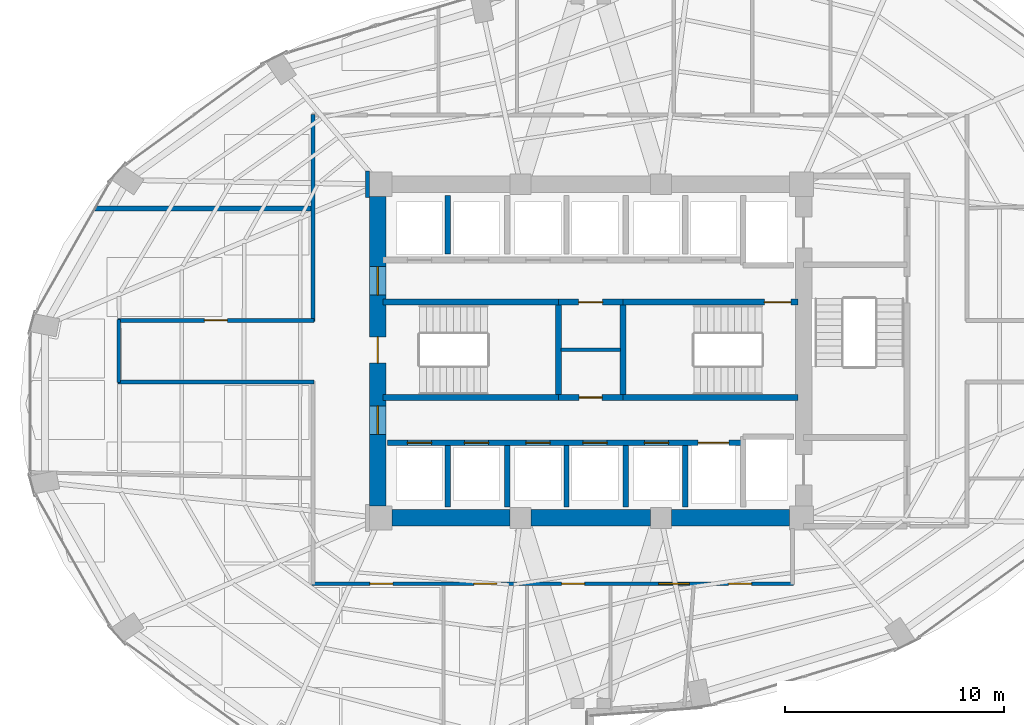
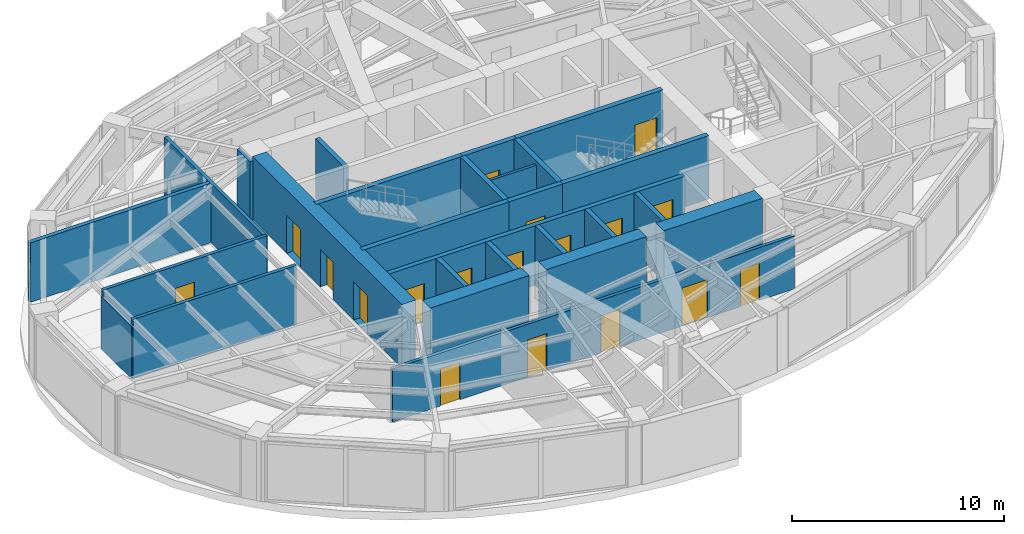
# One storey, part 19 of 23: 27 walls, 18 doors, 18 openings.
"""IFC4 building model written with IfcOpenShell, lengths in metres."""

from ifc_helpers import new_model, si_unit, direction, frame, frame_2d, origin, place, context, subcontext, project, spatial, rectangle, extrude, material, layer, layer_set, type_object, element, fill, save


model = new_model("IFC4")

# Units and contexts
model_context = context("Model", 3, precision=1e-05, world=origin(), true_north=direction((0.0, 1.0)))
body_context = subcontext(model_context, "Body", "Model", "MODEL_VIEW")
ifc_project = project(units=[si_unit("LENGTHUNIT", "METRE"), si_unit("AREAUNIT", "SQUARE_METRE"), si_unit("VOLUMEUNIT", "CUBIC_METRE"), si_unit("PLANEANGLEUNIT", "RADIAN"), si_unit("MASSUNIT", "GRAM", prefix="KILO")], contexts=[model_context])

# Site, building, storey
site_placement = place(None, origin())
site = spatial("IfcSite", under=ifc_project, at=site_placement, CompositionType="ELEMENT")
building_placement = place(site_placement, origin())
building = spatial("IfcBuilding", under=site, at=building_placement, Name="Lazwardi Medical Tower", CompositionType="ELEMENT")
storey_placement = place(building_placement, frame((0.0, 0.0, 81.743896484375)))
storey = spatial("IfcBuildingStorey", under=building, at=storey_placement, Name="L20", CompositionType="ELEMENT", Elevation=81.743896484375)

# Wall
ifc_material_1 = material(Name="Fire-rated gypsum board on steel stud", Category="steel")
ifc_layer_1 = layer(ifc_material_1, 0.179931640625)
ifc_layer_set_1 = layer_set([ifc_layer_1], Name="Fire-rated gypsum board on steel stud")
wall_type_1 = type_object("IfcWallType", Name="WL-COR-180", PredefinedType="PARTITIONING", material=ifc_layer_set_1)
wall_1_placement = place(storey_placement, frame((14.5, 26.56005859375, 0.0), z_axis=(0.0, 0.0, 1.0), x_axis=(0.0, 1.0, 0.0)))
element("IfcWall", 1, at=wall_1_placement, inside=storey, type_object=wall_type_1, Name="L20 Corridor partition 1", PredefinedType="PARTITIONING", context=body_context, shape_type="SweptSolid", body=[
    extrude(rectangle(XDim=2.8798828125, YDim=0.179931640625, at=frame_2d((1.43994140625, 0.0))), origin(), (0.0, 0.0, 1.0), 3.01318359375),
])

# Wall, opening, door
wall_2_placement = place(storey_placement, frame((14.4599609375, 29.39990234375, 0.0), z_axis=(0.0, 0.0, 1.0), x_axis=(1.0, 0.0, 0.0)))
wall_2 = element("IfcWall", 2, at=wall_2_placement, inside=storey, type_object=wall_type_1, Name="L20 Corridor partition 2", PredefinedType="PARTITIONING", context=body_context, shape_type="SweptSolid", body=[
    extrude(rectangle(XDim=8.929931640625, YDim=0.179931640625, at=frame_2d((4.46484375, 0.0))), origin(), (0.0, 0.0, 1.0), 3.42822265625),
])
opening_1_placement = place(wall_2_placement, frame((3.93994140625, 0.0, 0.0)))
opening_1 = element("IfcOpeningElement", 3, at=opening_1_placement, cuts=wall_2, Name="Opening D-L20-019", PredefinedType="OPENING", context=body_context, shape_type="SweptSolid", body=[
    extrude(rectangle(XDim=1.050048828125, YDim=2.14990234375, at=frame_2d((0.52490234375, 1.074951171875))), frame((0.0, 0.099853515625, 0.0), z_axis=(0.0, -1.0, 0.0), x_axis=(1.0, 0.0, 0.0)), (0.0, 0.0, 1.0), 0.199951171875),
])
ifc_material_2 = material(Name="Anti-microbial laminate hospital leaf")
door_type_1 = type_object("IfcDoorType", Name="DR-CLN-1050", OperationType="NOTDEFINED", PredefinedType="DOOR", material=ifc_material_2)
door_1_placement = place(opening_1_placement, origin())
door_1 = element("IfcDoor", 4, at=door_1_placement, inside=storey, type_object=door_type_1, Name="L20 Outpatient Consultation Suite Door 13", OperationType="SINGLE_SWING_LEFT", OverallHeight=2.14990234375, OverallWidth=1.050048828125, PredefinedType="DOOR", context=body_context, shape_type="SweptSolid", body=[
    extrude(rectangle(XDim=1.050048828125, YDim=2.14990234375, at=frame_2d((0.52490234375, 1.074951171875))), frame((0.0, 0.02490234375, 0.0), z_axis=(0.0, -1.0, 0.0), x_axis=(1.0, 0.0, 0.0)), (0.0, 0.0, 1.0), 0.050048828125),
])
fill(opening_1, door_1)

# Walls
wall_3_placement = place(storey_placement, frame((23.35009765625, 29.360107421875, 0.0), z_axis=(0.0, 0.0, 1.0), x_axis=(0.0, 1.0, 0.0)))
element("IfcWall", 5, at=wall_3_placement, inside=storey, type_object=wall_type_1, Name="L20 Corridor partition 3", PredefinedType="PARTITIONING", context=body_context, shape_type="SweptSolid", body=[
    extrude(rectangle(XDim=9.429931640625, YDim=0.179931640625, at=frame_2d((4.71484375, 0.0))), origin(), (0.0, 0.0, 1.0), 3.42822265625),
])
wall_4_placement = place(storey_placement, frame((25.830078125, 36.2099609375, 0.0), z_axis=(0.0, 0.0, 1.0), x_axis=(0.0, -1.0, 0.0)))
element("IfcWall", 6, at=wall_4_placement, inside=storey, type_object=wall_type_1, Name="L20 Corridor partition 11", PredefinedType="PARTITIONING", context=body_context, shape_type="SweptSolid", body=[
    extrude(rectangle(XDim=1.219970703125, YDim=0.179931640625, at=frame_2d((0.60986328125, 0.0))), origin(), (0.0, 0.0, 1.0), 3.42822265625),
])

# Wall, openings, doors
wall_5_placement = place(storey_placement, frame((45.239990234375, 17.39990234375, 0.0), z_axis=(0.0, 0.0, 1.0), x_axis=(-1.0, 0.0, 0.0)))
wall_5 = element("IfcWall", 7, at=wall_5_placement, inside=storey, type_object=wall_type_1, Name="L20 Corridor partition 14", PredefinedType="PARTITIONING", context=body_context, shape_type="SweptSolid", body=[
    extrude(rectangle(XDim=21.929931640625, YDim=0.179931640625, at=frame_2d((10.96484375, 0.0))), origin(), (0.0, 0.0, 1.0), 3.05322265625),
])
opening_2_placement = place(wall_5_placement, frame((18.2509765625, 0.0, 0.0)))
opening_2 = element("IfcOpeningElement", 8, at=opening_2_placement, cuts=wall_5, Name="Opening D-L20-007", PredefinedType="OPENING", context=body_context, shape_type="SweptSolid", body=[
    extrude(rectangle(XDim=1.050048828125, YDim=2.14990234375, at=frame_2d((0.52490234375, 1.074951171875))), frame((0.0, 0.099853515625, 0.0), z_axis=(0.0, -1.0, 0.0), x_axis=(1.0, 0.0, 0.0)), (0.0, 0.0, 1.0), 0.199951171875),
])
opening_3_placement = place(wall_5_placement, frame((13.514892578125, 0.0, 0.0)))
opening_3 = element("IfcOpeningElement", 9, at=opening_3_placement, cuts=wall_5, Name="Opening D-L20-008", PredefinedType="OPENING", context=body_context, shape_type="SweptSolid", body=[
    extrude(rectangle(XDim=1.050048828125, YDim=2.14990234375, at=frame_2d((0.52490234375, 1.074951171875))), frame((0.0, 0.099853515625, 0.0), z_axis=(0.0, -1.0, 0.0), x_axis=(1.0, 0.0, 0.0)), (0.0, 0.0, 1.0), 0.199951171875),
])
opening_4_placement = place(wall_5_placement, frame((9.514892578125, 0.0, 0.0)))
opening_4 = element("IfcOpeningElement", 10, at=opening_4_placement, cuts=wall_5, Name="Opening D-L20-009", PredefinedType="OPENING", context=body_context, shape_type="SweptSolid", body=[
    extrude(rectangle(XDim=1.050048828125, YDim=2.14990234375, at=frame_2d((0.52490234375, 1.074951171875))), frame((0.0, 0.099853515625, 0.0), z_axis=(0.0, -1.0, 0.0), x_axis=(1.0, 0.0, 0.0)), (0.0, 0.0, 1.0), 0.199951171875),
])
opening_5_placement = place(wall_5_placement, frame((4.743408203125, 0.0, 0.0)))
opening_5 = element("IfcOpeningElement", 11, at=opening_5_placement, cuts=wall_5, Name="Opening D-L20-010", PredefinedType="OPENING", context=body_context, shape_type="SweptSolid", body=[
    extrude(rectangle(XDim=1.39990234375, YDim=2.199951171875, at=frame_2d((0.699951171875, 1.10009765625))), frame((0.0, 0.099853515625, 0.0), z_axis=(0.0, -1.0, 0.0), x_axis=(1.0, 0.0, 0.0)), (0.0, 0.0, 1.0), 0.199951171875),
])
opening_6_placement = place(wall_5_placement, frame((1.906982421875, 0.0, 0.0)))
opening_6 = element("IfcOpeningElement", 12, at=opening_6_placement, cuts=wall_5, Name="Opening D-L20-011", PredefinedType="OPENING", context=body_context, shape_type="SweptSolid", body=[
    extrude(rectangle(XDim=1.050048828125, YDim=2.14990234375, at=frame_2d((0.52490234375, 1.074951171875))), frame((0.0, 0.099853515625, 0.0), z_axis=(0.0, -1.0, 0.0), x_axis=(1.0, 0.0, 0.0)), (0.0, 0.0, 1.0), 0.199951171875),
])
door_type_2 = type_object("IfcDoorType", Name="DR-BED-1400", OperationType="NOTDEFINED", PredefinedType="DOOR", material=ifc_material_2)
door_2_placement = place(opening_5_placement, origin())
door_2 = element("IfcDoor", 13, at=door_2_placement, inside=storey, type_object=door_type_2, Name="L20 Rehabilitation Gymnasium Door 04", OperationType="SINGLE_SWING_RIGHT", OverallHeight=2.199951171875, OverallWidth=1.39990234375, PredefinedType="DOOR", context=body_context, shape_type="SweptSolid", body=[
    extrude(rectangle(XDim=1.39990234375, YDim=2.199951171875, at=frame_2d((0.699951171875, 1.10009765625))), frame((0.0, 0.02490234375, 0.0), z_axis=(0.0, -1.0, 0.0), x_axis=(1.0, 0.0, 0.0)), (0.0, 0.0, 1.0), 0.050048828125),
])
fill(opening_5, door_2)
door_3_placement = place(opening_2_placement, origin())
door_3 = element("IfcDoor", 14, at=door_3_placement, inside=storey, type_object=door_type_1, Name="L20 Outpatient Consultation Suite Door 01", OperationType="SINGLE_SWING_LEFT", OverallHeight=2.14990234375, OverallWidth=1.050048828125, PredefinedType="DOOR", context=body_context, shape_type="SweptSolid", body=[
    extrude(rectangle(XDim=1.050048828125, YDim=2.14990234375, at=frame_2d((0.52490234375, 1.074951171875))), frame((0.0, 0.02490234375, 0.0), z_axis=(0.0, -1.0, 0.0), x_axis=(1.0, 0.0, 0.0)), (0.0, 0.0, 1.0), 0.050048828125),
])
fill(opening_2, door_3)
door_4_placement = place(opening_3_placement, origin())
door_4 = element("IfcDoor", 15, at=door_4_placement, inside=storey, type_object=door_type_1, Name="L20 Clinical Specialist Office Door 02", OperationType="SINGLE_SWING_RIGHT", OverallHeight=2.14990234375, OverallWidth=1.050048828125, PredefinedType="DOOR", context=body_context, shape_type="SweptSolid", body=[
    extrude(rectangle(XDim=1.050048828125, YDim=2.14990234375, at=frame_2d((0.52490234375, 1.074951171875))), frame((0.0, 0.02490234375, 0.0), z_axis=(0.0, -1.0, 0.0), x_axis=(1.0, 0.0, 0.0)), (0.0, 0.0, 1.0), 0.050048828125),
])
fill(opening_3, door_4)
door_5_placement = place(opening_4_placement, origin())
door_5 = element("IfcDoor", 16, at=door_5_placement, inside=storey, type_object=door_type_1, Name="L20 Outpatient Clinic Door 03", OperationType="SINGLE_SWING_LEFT", OverallHeight=2.14990234375, OverallWidth=1.050048828125, PredefinedType="DOOR", context=body_context, shape_type="SweptSolid", body=[
    extrude(rectangle(XDim=1.050048828125, YDim=2.14990234375, at=frame_2d((0.52490234375, 1.074951171875))), frame((0.0, 0.02490234375, 0.0), z_axis=(0.0, -1.0, 0.0), x_axis=(1.0, 0.0, 0.0)), (0.0, 0.0, 1.0), 0.050048828125),
])
fill(opening_4, door_5)
door_6_placement = place(opening_6_placement, origin())
door_6 = element("IfcDoor", 17, at=door_6_placement, inside=storey, type_object=door_type_1, Name="L20 Outpatient Consultation Suite Door 05", OperationType="SINGLE_SWING_LEFT", OverallHeight=2.14990234375, OverallWidth=1.050048828125, PredefinedType="DOOR", context=body_context, shape_type="SweptSolid", body=[
    extrude(rectangle(XDim=1.050048828125, YDim=2.14990234375, at=frame_2d((0.52490234375, 1.074951171875))), frame((0.0, 0.02490234375, 0.0), z_axis=(0.0, -1.0, 0.0), x_axis=(1.0, 0.0, 0.0)), (0.0, 0.0, 1.0), 0.050048828125),
])
fill(opening_6, door_6)

# Wall
wall_6_placement = place(storey_placement, frame((23.389892578125, 26.60009765625, 0.0), z_axis=(0.0, 0.0, 1.0), x_axis=(-1.0, 0.0, 0.0)))
element("IfcWall", 18, at=wall_6_placement, inside=storey, type_object=wall_type_1, Name="L20 Corridor partition 16", PredefinedType="PARTITIONING", context=body_context, shape_type="SweptSolid", body=[
    extrude(rectangle(XDim=8.929931640625, YDim=0.179931640625, at=frame_2d((4.46484375, 0.0))), origin(), (0.0, 0.0, 1.0), 3.42822265625),
])

# Wall, openings, doors
ifc_material_3 = material(Name="Concrete C70/85", Category="concrete")
ifc_layer_2 = layer(ifc_material_3, 0.75)
ifc_layer_set_2 = layer_set([ifc_layer_2], Name="Concrete C70/85")
wall_type_2 = type_object("IfcWallType", Name="WL-CORE-750", PredefinedType="SHEAR", material=ifc_layer_set_2)
wall_7_placement = place(storey_placement, frame((26.300048828125, 20.949951171875, 0.0), z_axis=(0.0, 0.0, 1.0), x_axis=(0.0, 1.0, 0.0)))
wall_7 = element("IfcWall", 19, at=wall_7_placement, inside=storey, type_object=wall_type_2, Name="Core wall CW-S2 west L20", PredefinedType="SHEAR", context=body_context, shape_type="SweptSolid", body=[
    extrude(rectangle(XDim=14.10009765625, YDim=0.75, at=frame_2d((7.050048828125, 0.0))), origin(), (0.0, 0.0, 1.0), 3.648193359375),
])
opening_7_placement = place(wall_7_placement, frame((6.5, 0.0, 0.0)))
opening_7 = element("IfcOpeningElement", 20, at=opening_7_placement, cuts=wall_7, Name="Opening D-L20-020", PredefinedType="OPENING", context=body_context, shape_type="SweptSolid", body=[
    extrude(rectangle(XDim=1.199951171875, YDim=2.14990234375, at=frame_2d((0.60009765625, 1.074951171875))), frame((0.0, 0.385009765625, 0.0), z_axis=(0.0, -1.0, 0.0), x_axis=(1.0, 0.0, 0.0)), (0.0, 0.0, 1.0), 0.77001953125),
])
opening_8_placement = place(wall_7_placement, frame((9.60009765625, 0.0, 0.0)))
opening_8 = element("IfcOpeningElement", 21, at=opening_8_placement, cuts=wall_7, Name="Opening D-L20-005", PredefinedType="OPENING", context=body_context, shape_type="SweptSolid", body=[
    extrude(rectangle(XDim=1.300048828125, YDim=2.199951171875, at=frame_2d((0.64990234375, 1.10009765625))), frame((0.0, 0.385009765625, 0.0), z_axis=(0.0, -1.0, 0.0), x_axis=(1.0, 0.0, 0.0)), (0.0, 0.0, 1.0), 0.77001953125),
])
opening_9_placement = place(wall_7_placement, frame((3.260009765625, 0.0, 0.0)))
opening_9 = element("IfcOpeningElement", 22, at=opening_9_placement, cuts=wall_7, Name="Opening D-L20-006", PredefinedType="OPENING", context=body_context, shape_type="SweptSolid", body=[
    extrude(rectangle(XDim=1.300048828125, YDim=2.199951171875, at=frame_2d((0.64990234375, 1.10009765625))), frame((0.0, 0.385009765625, 0.0), z_axis=(0.0, -1.0, 0.0), x_axis=(1.0, 0.0, 0.0)), (0.0, 0.0, 1.0), 0.77001953125),
])
ifc_material_4 = material(Name="Fire-rated steel leaf and frame", Category="steel")
door_type_3 = type_object("IfcDoorType", Name="DR-FFL-1300", OperationType="NOTDEFINED", PredefinedType="DOOR", material=ifc_material_4)
door_7_placement = place(opening_8_placement, origin())
door_7 = element("IfcDoor", 23, at=door_7_placement, inside=storey, type_object=door_type_3, Name="L20 North Lift Lobby Door", OperationType="SINGLE_SWING_RIGHT", OverallHeight=2.199951171875, OverallWidth=1.300048828125, PredefinedType="DOOR", context=body_context, shape_type="SweptSolid", body=[
    extrude(rectangle(XDim=1.300048828125, YDim=2.199951171875, at=frame_2d((0.64990234375, 1.10009765625))), frame((0.0, 0.02490234375, 0.0), z_axis=(0.0, -1.0, 0.0), x_axis=(1.0, 0.0, 0.0)), (0.0, 0.0, 1.0), 0.050048828125),
])
fill(opening_8, door_7)
door_8_placement = place(opening_9_placement, origin())
door_8 = element("IfcDoor", 24, at=door_8_placement, inside=storey, type_object=door_type_3, Name="L20 South Lift Lobby Door", OperationType="SINGLE_SWING_LEFT", OverallHeight=2.199951171875, OverallWidth=1.300048828125, PredefinedType="DOOR", context=body_context, shape_type="SweptSolid", body=[
    extrude(rectangle(XDim=1.300048828125, YDim=2.199951171875, at=frame_2d((0.64990234375, 1.10009765625))), frame((0.0, 0.02490234375, 0.0), z_axis=(0.0, -1.0, 0.0), x_axis=(1.0, 0.0, 0.0)), (0.0, 0.0, 1.0), 0.050048828125),
])
fill(opening_9, door_8)
door_type_4 = type_object("IfcDoorType", Name="DR-STR-1200", OperationType="NOTDEFINED", PredefinedType="DOOR", material=ifc_material_4)
door_9_placement = place(opening_7_placement, origin())
door_9 = element("IfcDoor", 25, at=door_9_placement, inside=storey, type_object=door_type_4, Name="L20 Exit Stair ST1 Door", OperationType="SINGLE_SWING_RIGHT", OverallHeight=2.14990234375, OverallWidth=1.199951171875, PredefinedType="DOOR", context=body_context, shape_type="SweptSolid", body=[
    extrude(rectangle(XDim=1.199951171875, YDim=2.14990234375, at=frame_2d((0.60009765625, 1.074951171875))), frame((0.0, 0.02490234375, 0.0), z_axis=(0.0, -1.0, 0.0), x_axis=(1.0, 0.0, 0.0)), (0.0, 0.0, 1.0), 0.050048828125),
])
fill(opening_7, door_9)

# Walls
wall_8_placement = place(storey_placement, frame((26.949951171875, 20.39990234375, 0.0), z_axis=(0.0, 0.0, 1.0), x_axis=(1.0, 0.0, 0.0)))
element("IfcWall", 26, at=wall_8_placement, inside=storey, type_object=wall_type_2, Name="Core wall CW-S2 S1 L20", PredefinedType="SHEAR", context=body_context, shape_type="SweptSolid", body=[
    extrude(rectangle(XDim=5.375, YDim=0.75, at=frame_2d((2.6875, 0.0))), origin(), (0.0, 0.0, 1.0), 3.648193359375),
])
wall_9_placement = place(storey_placement, frame((33.27490234375, 20.39990234375, 0.0), z_axis=(0.0, 0.0, 1.0), x_axis=(1.0, 0.0, 0.0)))
element("IfcWall", 27, at=wall_9_placement, inside=storey, type_object=wall_type_2, Name="Core wall CW-S2 S2 L20", PredefinedType="SHEAR", context=body_context, shape_type="SweptSolid", body=[
    extrude(rectangle(XDim=5.4501953125, YDim=0.75, at=frame_2d((2.72509765625, 0.0))), origin(), (0.0, 0.0, 1.0), 3.648193359375),
])
wall_10_placement = place(storey_placement, frame((39.675048828125, 20.39990234375, 0.0), z_axis=(0.0, 0.0, 1.0), x_axis=(1.0, 0.0, 0.0)))
element("IfcWall", 28, at=wall_10_placement, inside=storey, type_object=wall_type_2, Name="Core wall CW-S2 S3 L20", PredefinedType="SHEAR", context=body_context, shape_type="SweptSolid", body=[
    extrude(rectangle(XDim=5.375, YDim=0.75, at=frame_2d((2.6875, 0.0))), origin(), (0.0, 0.0, 1.0), 3.648193359375),
])

# Wall, openings, doors
ifc_material_5 = material(Name="Autoclaved aerated concrete blockwork", Category="masonry")
ifc_layer_3 = layer(ifc_material_5, 0.25)
ifc_layer_set_3 = layer_set([ifc_layer_3], Name="Autoclaved aerated concrete blockwork")
wall_type_3 = type_object("IfcWallType", Name="WL-SHAFT-250", PredefinedType="SOLIDWALL", material=ifc_layer_set_3)
wall_11_placement = place(storey_placement, frame((26.75, 23.830078125, 0.0), z_axis=(0.0, 0.0, 1.0), x_axis=(1.0, 0.0, 0.0)))
wall_11 = element("IfcWall", 29, at=wall_11_placement, inside=storey, type_object=wall_type_3, Name="L20 South lift bank front wall", PredefinedType="SOLIDWALL", context=body_context, shape_type="SweptSolid", body=[
    extrude(rectangle(XDim=16.199951171875, YDim=0.25, at=frame_2d((8.10009765625, 0.0))), origin(), (0.0, 0.0, 1.0), 3.42822265625),
])
opening_10_placement = place(wall_11_placement, frame((0.89990234375, 0.0, 0.0)))
opening_10 = element("IfcOpeningElement", 30, at=opening_10_placement, cuts=wall_11, Name="Opening LD-L20-006", PredefinedType="OPENING", context=body_context, shape_type="SweptSolid", body=[
    extrude(rectangle(XDim=1.10009765625, YDim=2.199951171875, at=frame_2d((0.550048828125, 1.10009765625))), frame((0.0, 0.135009765625, 0.0), z_axis=(0.0, -1.0, 0.0), x_axis=(1.0, 0.0, 0.0)), (0.0, 0.0, 1.0), 0.27001953125),
])
opening_11_placement = place(wall_11_placement, frame((3.5, 0.0, 0.0)))
opening_11 = element("IfcOpeningElement", 31, at=opening_11_placement, cuts=wall_11, Name="Opening LD-L20-007", PredefinedType="OPENING", context=body_context, shape_type="SweptSolid", body=[
    extrude(rectangle(XDim=1.10009765625, YDim=2.199951171875, at=frame_2d((0.550048828125, 1.10009765625))), frame((0.0, 0.135009765625, 0.0), z_axis=(0.0, -1.0, 0.0), x_axis=(1.0, 0.0, 0.0)), (0.0, 0.0, 1.0), 0.27001953125),
])
opening_12_placement = place(wall_11_placement, frame((6.300048828125, 0.0, 0.0)))
opening_12 = element("IfcOpeningElement", 32, at=opening_12_placement, cuts=wall_11, Name="Opening LD-L20-010", PredefinedType="OPENING", context=body_context, shape_type="SweptSolid", body=[
    extrude(rectangle(XDim=1.10009765625, YDim=2.199951171875, at=frame_2d((0.550048828125, 1.10009765625))), frame((0.0, 0.135009765625, 0.0), z_axis=(0.0, -1.0, 0.0), x_axis=(1.0, 0.0, 0.0)), (0.0, 0.0, 1.0), 0.27001953125),
])
opening_13_placement = place(wall_11_placement, frame((8.89990234375, 0.0, 0.0)))
opening_13 = element("IfcOpeningElement", 33, at=opening_13_placement, cuts=wall_11, Name="Opening LD-L20-011", PredefinedType="OPENING", context=body_context, shape_type="SweptSolid", body=[
    extrude(rectangle(XDim=1.10009765625, YDim=2.199951171875, at=frame_2d((0.550048828125, 1.10009765625))), frame((0.0, 0.135009765625, 0.0), z_axis=(0.0, -1.0, 0.0), x_axis=(1.0, 0.0, 0.0)), (0.0, 0.0, 1.0), 0.27001953125),
])
opening_14_placement = place(wall_11_placement, frame((11.699951171875, 0.0, 0.0)))
opening_14 = element("IfcOpeningElement", 34, at=opening_14_placement, cuts=wall_11, Name="Opening LD-L20-014", PredefinedType="OPENING", context=body_context, shape_type="SweptSolid", body=[
    extrude(rectangle(XDim=1.10009765625, YDim=2.199951171875, at=frame_2d((0.550048828125, 1.10009765625))), frame((0.0, 0.135009765625, 0.0), z_axis=(0.0, -1.0, 0.0), x_axis=(1.0, 0.0, 0.0)), (0.0, 0.0, 1.0), 0.27001953125),
])
opening_15_placement = place(wall_11_placement, frame((14.14990234375, 0.0, 0.0)))
opening_15 = element("IfcOpeningElement", 35, at=opening_15_placement, cuts=wall_11, Name="Opening LD-L20-003", PredefinedType="OPENING", context=body_context, shape_type="SweptSolid", body=[
    extrude(rectangle(XDim=1.39990234375, YDim=2.300048828125, at=frame_2d((0.699951171875, 1.14990234375))), frame((0.0, 0.135009765625, 0.0), z_axis=(0.0, -1.0, 0.0), x_axis=(1.0, 0.0, 0.0)), (0.0, 0.0, 1.0), 0.27001953125),
])
ifc_material_6 = material(Name="Brushed bronze stainless steel landing door", Category="steel")
door_type_5 = type_object("IfcDoorType", Name="DR-LFT-1100", OperationType="NOTDEFINED", PredefinedType="DOOR", material=ifc_material_6)
door_10_placement = place(opening_10_placement, origin())
door_10 = element("IfcDoor", 36, at=door_10_placement, inside=storey, type_object=door_type_5, Name="L20 Lift Landing Door PL-03", OperationType="SLIDING_TO_LEFT", OverallHeight=2.199951171875, OverallWidth=1.10009765625, PredefinedType="DOOR", context=body_context, shape_type="SweptSolid", body=[
    extrude(rectangle(XDim=1.10009765625, YDim=2.199951171875, at=frame_2d((0.550048828125, 1.10009765625))), frame((0.0, 0.02490234375, 0.0), z_axis=(0.0, -1.0, 0.0), x_axis=(1.0, 0.0, 0.0)), (0.0, 0.0, 1.0), 0.050048828125),
])
fill(opening_10, door_10)
door_11_placement = place(opening_11_placement, origin())
door_11 = element("IfcDoor", 37, at=door_11_placement, inside=storey, type_object=door_type_5, Name="L20 Lift Landing Door PL-04", OperationType="SLIDING_TO_LEFT", OverallHeight=2.199951171875, OverallWidth=1.10009765625, PredefinedType="DOOR", context=body_context, shape_type="SweptSolid", body=[
    extrude(rectangle(XDim=1.10009765625, YDim=2.199951171875, at=frame_2d((0.550048828125, 1.10009765625))), frame((0.0, 0.02490234375, 0.0), z_axis=(0.0, -1.0, 0.0), x_axis=(1.0, 0.0, 0.0)), (0.0, 0.0, 1.0), 0.050048828125),
])
fill(opening_11, door_11)
door_12_placement = place(opening_12_placement, origin())
door_12 = element("IfcDoor", 38, at=door_12_placement, inside=storey, type_object=door_type_5, Name="L20 Lift Landing Door PL-07", OperationType="SLIDING_TO_LEFT", OverallHeight=2.199951171875, OverallWidth=1.10009765625, PredefinedType="DOOR", context=body_context, shape_type="SweptSolid", body=[
    extrude(rectangle(XDim=1.10009765625, YDim=2.199951171875, at=frame_2d((0.550048828125, 1.10009765625))), frame((0.0, 0.02490234375, 0.0), z_axis=(0.0, -1.0, 0.0), x_axis=(1.0, 0.0, 0.0)), (0.0, 0.0, 1.0), 0.050048828125),
])
fill(opening_12, door_12)
door_13_placement = place(opening_13_placement, origin())
door_13 = element("IfcDoor", 39, at=door_13_placement, inside=storey, type_object=door_type_5, Name="L20 Lift Landing Door PL-08", OperationType="SLIDING_TO_LEFT", OverallHeight=2.199951171875, OverallWidth=1.10009765625, PredefinedType="DOOR", context=body_context, shape_type="SweptSolid", body=[
    extrude(rectangle(XDim=1.10009765625, YDim=2.199951171875, at=frame_2d((0.550048828125, 1.10009765625))), frame((0.0, 0.02490234375, 0.0), z_axis=(0.0, -1.0, 0.0), x_axis=(1.0, 0.0, 0.0)), (0.0, 0.0, 1.0), 0.050048828125),
])
fill(opening_13, door_13)
door_14_placement = place(opening_14_placement, origin())
door_14 = element("IfcDoor", 40, at=door_14_placement, inside=storey, type_object=door_type_5, Name="L20 Lift Landing Door PL-11", OperationType="SLIDING_TO_LEFT", OverallHeight=2.199951171875, OverallWidth=1.10009765625, PredefinedType="DOOR", context=body_context, shape_type="SweptSolid", body=[
    extrude(rectangle(XDim=1.10009765625, YDim=2.199951171875, at=frame_2d((0.550048828125, 1.10009765625))), frame((0.0, 0.02490234375, 0.0), z_axis=(0.0, -1.0, 0.0), x_axis=(1.0, 0.0, 0.0)), (0.0, 0.0, 1.0), 0.050048828125),
])
fill(opening_14, door_14)
ifc_material_7 = material(Name="Brushed stainless steel bed-lift landing door", Category="steel")
door_type_6 = type_object("IfcDoorType", Name="DR-LFT-1400", OperationType="NOTDEFINED", PredefinedType="DOOR", material=ifc_material_7)
door_15_placement = place(opening_15_placement, origin())
door_15 = element("IfcDoor", 41, at=door_15_placement, inside=storey, type_object=door_type_6, Name="L20 Lift Landing Door FL-03", OperationType="SLIDING_TO_LEFT", OverallHeight=2.300048828125, OverallWidth=1.39990234375, PredefinedType="DOOR", context=body_context, shape_type="SweptSolid", body=[
    extrude(rectangle(XDim=1.39990234375, YDim=2.300048828125, at=frame_2d((0.699951171875, 1.14990234375))), frame((0.0, 0.02490234375, 0.0), z_axis=(0.0, -1.0, 0.0), x_axis=(1.0, 0.0, 0.0)), (0.0, 0.0, 1.0), 0.050048828125),
])
fill(opening_15, door_15)

# Walls
wall_12_placement = place(storey_placement, frame((29.5, 32.419921875, 0.0), z_axis=(0.0, 0.0, 1.0), x_axis=(0.0, 1.0, 0.0)))
element("IfcWall", 42, at=wall_12_placement, inside=storey, type_object=wall_type_3, Name="L20 North hoistway divider", PredefinedType="SOLIDWALL", context=body_context, shape_type="SweptSolid", body=[
    extrude(rectangle(XDim=2.68017578125, YDim=0.25, at=frame_2d((1.340087890625, 0.0))), origin(), (0.0, 0.0, 1.0), 3.42822265625),
])
for number, where, z_axis, x_axis, name in (
    (43, (29.5, 20.89990234375, 0.0), (0.0, 0.0, 1.0), (0.0, 1.0, 0.0), "L20 South hoistway divider"),
    (44, (32.199951171875, 20.89990234375, 0.0), (0.0, 0.0, 1.0), (0.0, 1.0, 0.0), "L20 South hoistway divider"),
    (45, (34.89990234375, 20.89990234375, 0.0), (0.0, 0.0, 1.0), (0.0, 1.0, 0.0), "L20 South hoistway divider"),
    (46, (37.60009765625, 20.89990234375, 0.0), (0.0, 0.0, 1.0), (0.0, 1.0, 0.0), "L20 South hoistway divider"),
    (47, (40.300048828125, 20.89990234375, 0.0), (0.0, 0.0, 1.0), (0.0, 1.0, 0.0), "L20 South hoistway divider"),
):
    element("IfcWall", number, at=place(storey_placement, frame(where, z_axis=z_axis, x_axis=x_axis)), inside=storey, type_object=wall_type_3, Name=name, PredefinedType="SOLIDWALL", context=body_context, shape_type="SweptSolid", body=[
        extrude(rectangle(XDim=2.800048828125, YDim=0.25, at=frame_2d((1.39990234375, 0.0))), origin(), (0.0, 0.0, 1.0), 3.42822265625),
    ])
ifc_layer_4 = layer(ifc_material_1, 0.219970703125)
ifc_layer_set_4 = layer_set([ifc_layer_4], Name="Fire-rated gypsum board on steel stud")
wall_type_4 = type_object("IfcWallType", Name="WL-SMK-220", PredefinedType="PARTITIONING", material=ifc_layer_set_4)
wall_13_placement = place(storey_placement, frame((13.426025390625, 34.5, 0.0), z_axis=(0.0, 0.0, 1.0), x_axis=(1.0, 0.0, 0.0)))
element("IfcWall", 48, at=wall_13_placement, inside=storey, type_object=wall_type_4, Name="L20 Room partition 2", PredefinedType="PARTITIONING", context=body_context, shape_type="SweptSolid", body=[
    extrude(rectangle(XDim=9.833984375, YDim=0.219970703125, at=frame_2d((4.9169921875, 0.0))), origin(), (0.0, 0.0, 1.0), 3.42822265625),
])
ifc_material_8 = material(Name="Concrete C50/60", Category="concrete")
ifc_layer_5 = layer(ifc_material_8, 0.27001953125)
ifc_layer_set_5 = layer_set([ifc_layer_5], Name="Concrete C50/60")
wall_type_5 = type_object("IfcWallType", Name="WL-STR-250", PredefinedType="SHEAR", material=ifc_layer_set_5)
wall_14_placement = place(storey_placement, frame((26.550048828125, 30.235107421875, 0.0), z_axis=(0.0, 0.0, 1.0), x_axis=(1.0, 0.0, 0.0)))
element("IfcWall", 49, at=wall_14_placement, inside=storey, type_object=wall_type_5, Name="L20 ST1 North shear shaft wall SW-S1", PredefinedType="SHEAR", context=body_context, shape_type="SweptSolid", body=[
    extrude(rectangle(XDim=7.98486328125, YDim=0.27001953125, at=frame_2d((3.992431640625, 0.0))), origin(), (0.0, 0.0, 1.0), 3.648193359375),
])

# Wall, opening, door
wall_15_placement = place(storey_placement, frame((34.534912109375, 30.235107421875, 0.0), z_axis=(0.0, 0.0, 1.0), x_axis=(1.0, 0.0, 0.0)))
wall_15 = element("IfcWall", 50, at=wall_15_placement, inside=storey, type_object=wall_type_5, Name="L20 Core service North shear wall SW-S1", PredefinedType="SHEAR", context=body_context, shape_type="SweptSolid", body=[
    extrude(rectangle(XDim=2.93017578125, YDim=0.27001953125, at=frame_2d((1.465087890625, 0.0))), origin(), (0.0, 0.0, 1.0), 3.648193359375),
])
opening_16_placement = place(wall_15_placement, frame((0.9150390625, 0.0, 0.0)))
opening_16 = element("IfcOpeningElement", 51, at=opening_16_placement, cuts=wall_15, Name="Opening D-L20-002", PredefinedType="OPENING", context=body_context, shape_type="SweptSolid", body=[
    extrude(rectangle(XDim=1.10009765625, YDim=2.14990234375, at=frame_2d((0.550048828125, 1.074951171875))), frame((0.0, 0.14501953125, 0.0), z_axis=(0.0, -1.0, 0.0), x_axis=(1.0, 0.0, 0.0)), (0.0, 0.0, 1.0), 0.2900390625),
])
door_type_7 = type_object("IfcDoorType", Name="DR-PLT-1100", OperationType="NOTDEFINED", PredefinedType="DOOR", material=ifc_material_4)
door_16_placement = place(opening_16_placement, origin())
door_16 = element("IfcDoor", 52, at=door_16_placement, inside=storey, type_object=door_type_7, Name="L20 Electrical Room Door", OperationType="SINGLE_SWING_LEFT", OverallHeight=2.14990234375, OverallWidth=1.10009765625, PredefinedType="DOOR", context=body_context, shape_type="SweptSolid", body=[
    extrude(rectangle(XDim=1.10009765625, YDim=2.14990234375, at=frame_2d((0.550048828125, 1.074951171875))), frame((0.0, 0.02490234375, 0.0), z_axis=(0.0, -1.0, 0.0), x_axis=(1.0, 0.0, 0.0)), (0.0, 0.0, 1.0), 0.050048828125),
])
fill(opening_16, door_16)

wall_16_placement = place(storey_placement, frame((37.465087890625, 30.235107421875, 0.0), z_axis=(0.0, 0.0, 1.0), x_axis=(1.0, 0.0, 0.0)))
wall_16 = element("IfcWall", 53, at=wall_16_placement, inside=storey, type_object=wall_type_5, Name="L20 ST2 North shear shaft wall SW-S1", PredefinedType="SHEAR", context=body_context, shape_type="SweptSolid", body=[
    extrude(rectangle(XDim=7.98486328125, YDim=0.27001953125, at=frame_2d((3.992431640625, 0.0))), origin(), (0.0, 0.0, 1.0), 3.648193359375),
])
opening_17_placement = place(wall_16_placement, frame((6.455078125, 0.0, 0.0)))
opening_17 = element("IfcOpeningElement", 54, at=opening_17_placement, cuts=wall_16, Name="Opening D-L20-021", PredefinedType="OPENING", context=body_context, shape_type="SweptSolid", body=[
    extrude(rectangle(XDim=1.199951171875, YDim=2.14990234375, at=frame_2d((0.60009765625, 1.074951171875))), frame((0.0, 0.14501953125, 0.0), z_axis=(0.0, -1.0, 0.0), x_axis=(1.0, 0.0, 0.0)), (0.0, 0.0, 1.0), 0.2900390625),
])
door_17_placement = place(opening_17_placement, origin())
door_17 = element("IfcDoor", 55, at=door_17_placement, inside=storey, type_object=door_type_4, Name="L20 Exit Stair ST2 Door", OperationType="SINGLE_SWING_LEFT", OverallHeight=2.14990234375, OverallWidth=1.199951171875, PredefinedType="DOOR", context=body_context, shape_type="SweptSolid", body=[
    extrude(rectangle(XDim=1.199951171875, YDim=2.14990234375, at=frame_2d((0.60009765625, 1.074951171875))), frame((0.0, 0.02490234375, 0.0), z_axis=(0.0, -1.0, 0.0), x_axis=(1.0, 0.0, 0.0)), (0.0, 0.0, 1.0), 0.050048828125),
])
fill(opening_17, door_17)

# Wall
wall_17_placement = place(storey_placement, frame((26.550048828125, 25.885009765625, 0.0), z_axis=(0.0, 0.0, 1.0), x_axis=(1.0, 0.0, 0.0)))
element("IfcWall", 56, at=wall_17_placement, inside=storey, type_object=wall_type_5, Name="L20 ST1 South shear shaft wall SW-S1", PredefinedType="SHEAR", context=body_context, shape_type="SweptSolid", body=[
    extrude(rectangle(XDim=7.98486328125, YDim=0.27001953125, at=frame_2d((3.992431640625, 0.0))), origin(), (0.0, 0.0, 1.0), 3.648193359375),
])

# Wall, opening, door
wall_18_placement = place(storey_placement, frame((34.534912109375, 25.885009765625, 0.0), z_axis=(0.0, 0.0, 1.0), x_axis=(1.0, 0.0, 0.0)))
wall_18 = element("IfcWall", 57, at=wall_18_placement, inside=storey, type_object=wall_type_5, Name="L20 Core service South shear wall SW-S1", PredefinedType="SHEAR", context=body_context, shape_type="SweptSolid", body=[
    extrude(rectangle(XDim=2.93017578125, YDim=0.27001953125, at=frame_2d((1.465087890625, 0.0))), origin(), (0.0, 0.0, 1.0), 3.648193359375),
])
opening_18_placement = place(wall_18_placement, frame((0.93994140625, 0.0, 0.0)))
opening_18 = element("IfcOpeningElement", 58, at=opening_18_placement, cuts=wall_18, Name="Opening D-L20-001", PredefinedType="OPENING", context=body_context, shape_type="SweptSolid", body=[
    extrude(rectangle(XDim=1.050048828125, YDim=2.14990234375, at=frame_2d((0.52490234375, 1.074951171875))), frame((0.0, 0.14501953125, 0.0), z_axis=(0.0, -1.0, 0.0), x_axis=(1.0, 0.0, 0.0)), (0.0, 0.0, 1.0), 0.2900390625),
])
door_18_placement = place(opening_18_placement, origin())
door_18 = element("IfcDoor", 59, at=door_18_placement, inside=storey, type_object=door_type_1, Name="L20 Dirty Sluice Door", OperationType="SINGLE_SWING_RIGHT", OverallHeight=2.14990234375, OverallWidth=1.050048828125, PredefinedType="DOOR", context=body_context, shape_type="SweptSolid", body=[
    extrude(rectangle(XDim=1.050048828125, YDim=2.14990234375, at=frame_2d((0.52490234375, 1.074951171875))), frame((0.0, 0.02490234375, 0.0), z_axis=(0.0, -1.0, 0.0), x_axis=(1.0, 0.0, 0.0)), (0.0, 0.0, 1.0), 0.050048828125),
])
fill(opening_18, door_18)

# Walls
wall_19_placement = place(storey_placement, frame((37.465087890625, 25.885009765625, 0.0), z_axis=(0.0, 0.0, 1.0), x_axis=(1.0, 0.0, 0.0)))
element("IfcWall", 60, at=wall_19_placement, inside=storey, type_object=wall_type_5, Name="L20 ST2 South shear shaft wall SW-S1", PredefinedType="SHEAR", context=body_context, shape_type="SweptSolid", body=[
    extrude(rectangle(XDim=7.98486328125, YDim=0.27001953125, at=frame_2d((3.992431640625, 0.0))), origin(), (0.0, 0.0, 1.0), 3.648193359375),
])
for number, where, z_axis, x_axis, name in (
    (61, (34.534912109375, 26.02001953125, 0.0), (0.0, 0.0, 1.0), (0.0, 1.0, 0.0), "L20 ST1 East shear shaft wall SW-S1"),
    (62, (37.465087890625, 26.02001953125, 0.0), (0.0, 0.0, 1.0), (0.0, 1.0, 0.0), "L20 ST2 West shear shaft wall SW-S1"),
):
    element("IfcWall", number, at=place(storey_placement, frame(where, z_axis=z_axis, x_axis=x_axis)), inside=storey, type_object=wall_type_5, Name=name, PredefinedType="SHEAR", context=body_context, shape_type="SweptSolid", body=[
        extrude(rectangle(XDim=4.080078125, YDim=0.27001953125, at=frame_2d((2.0400390625, 0.0))), origin(), (0.0, 0.0, 1.0), 3.648193359375),
    ])
ifc_material_9 = material(Name="Acoustic gypsum board partition")
ifc_layer_6 = layer(ifc_material_9, 0.14990234375)
ifc_layer_set_6 = layer_set([ifc_layer_6], Name="Acoustic gypsum board partition")
wall_type_6 = type_object("IfcWallType", Name="WL-WRD-150", PredefinedType="PARTITIONING", material=ifc_layer_set_6)
wall_20_placement = place(storey_placement, frame((34.64990234375, 28.06005859375, 0.0), z_axis=(0.0, 0.0, 1.0), x_axis=(1.0, 0.0, 0.0)))
element("IfcWall", 63, at=wall_20_placement, inside=storey, type_object=wall_type_6, Name="L20 Core service divider", PredefinedType="PARTITIONING", context=body_context, shape_type="SweptSolid", body=[
    extrude(rectangle(XDim=2.7001953125, YDim=0.14990234375, at=frame_2d((1.35009765625, 0.0))), origin(), (0.0, 0.0, 1.0), 3.42822265625),
])

save(model, "model.ifc")
